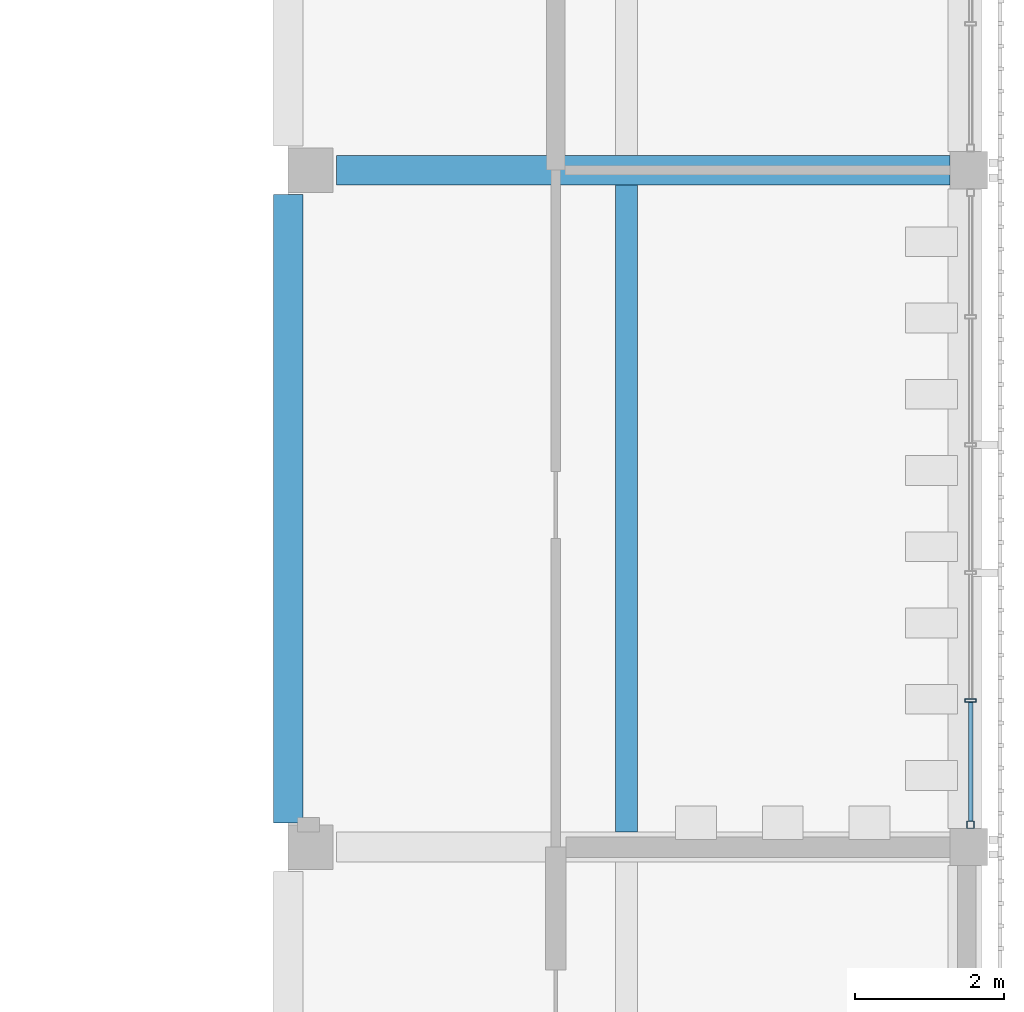
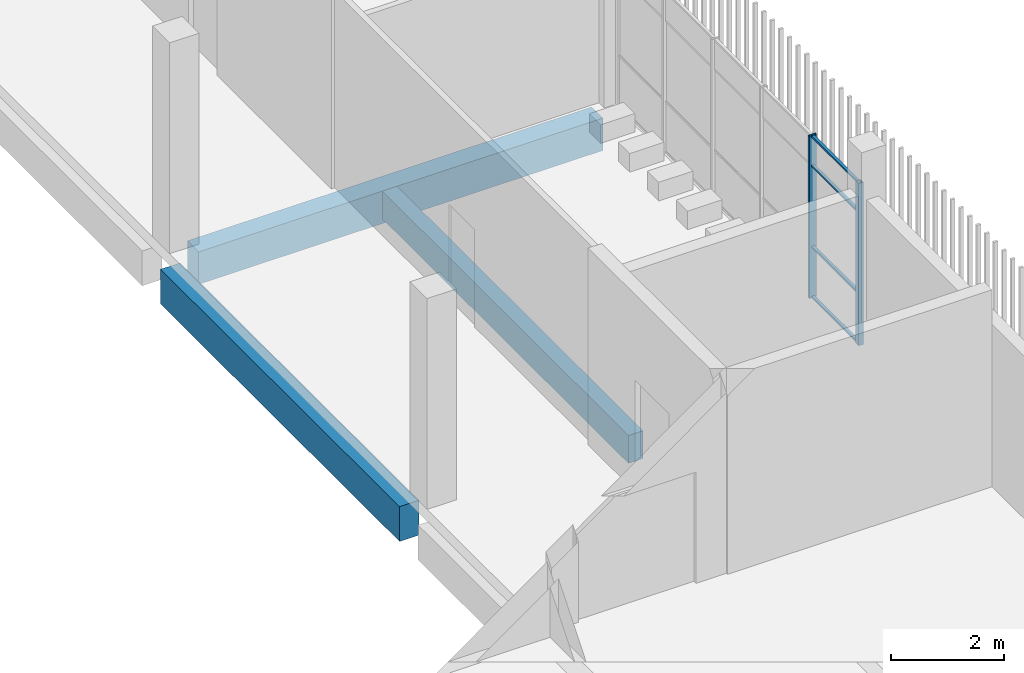
# One storey, part 52 of 124: 6 members, 3 beams, 1 element without a shape of its own.
"""IFC4 building model written with IfcOpenShell, lengths in metres."""

from ifc_helpers import new_model, si_unit, direction, frame, origin, origin_2d, place, context, subcontext, project, spatial, rectangle, hollow_rectangle, extrude, material, layer, layer_set, material_profile, profile_set, type_object, element, aggregate, save


model = new_model("IFC4")

# Units and contexts
model_context = context("Model", 3, precision=1e-05, world=origin(), true_north=direction((0.0, 1.0)))
body_context = subcontext(model_context, "Body", "Model", "MODEL_VIEW")
ifc_project = project(units=[si_unit("LENGTHUNIT", "METRE"), si_unit("AREAUNIT", "SQUARE_METRE"), si_unit("VOLUMEUNIT", "CUBIC_METRE"), si_unit("PLANEANGLEUNIT", "RADIAN"), si_unit("MASSUNIT", "GRAM", prefix="KILO")], contexts=[model_context])

# Site, building, storey
site_placement = place(None, origin())
site = spatial("IfcSite", under=ifc_project, at=site_placement, CompositionType="ELEMENT")
building_placement = place(site_placement, origin())
building = spatial("IfcBuilding", under=site, at=building_placement, Name="Shirokan Park Arena", CompositionType="ELEMENT")
storey_placement = place(building_placement, frame((0.0, 0.0, 20.02001953125)))
storey = spatial("IfcBuildingStorey", under=building, at=storey_placement, Name="L04", CompositionType="ELEMENT", Elevation=20.02001953125)

# Curtain wall, members
ifc_material_1 = material(Name="Steel and glass curtain wall", Category="steel")
ifc_layer = layer(ifc_material_1, 0.14990234375)
ifc_layer_set = layer_set([ifc_layer], Name="Steel and glass curtain wall 150 mm")
curtain_wall_type = type_object("IfcCurtainWallType", Name="Curtain wall exposed bay 150", PredefinedType="NOTDEFINED", material=ifc_layer_set)
curtain_wall_placement = place(storey_placement, origin())
curtain_wall = element("IfcCurtainWall", 1, at=curtain_wall_placement, inside=storey, type_object=curtain_wall_type, Name="Curtain wall east bay 6 L04", PredefinedType="NOTDEFINED")
ifc_material_2 = material(Name="Steel S355", Category="steel")
ifc_material_profile_1 = material_profile(ifc_material_2, hollow_rectangle(XDim=0.10009765625, YDim=0.10009765625, WallThickness=0.006103515625, at=origin_2d()), Name="RHS 100x100x6")
ifc_profile_set_1 = profile_set([ifc_material_profile_1], Name="Steel S355")
member_type_1 = type_object("IfcMemberType", Name="Mullion RHS 100x100x6", PredefinedType="MULLION", material=ifc_profile_set_1)
member_1_placement = place(storey_placement, frame((145.675048828125, 45.800048828125, 0.0), z_axis=(0.0, 0.0, 1.0), x_axis=(-1.0, 0.0, 0.0)))
member_1 = element("IfcMember", 2, at=member_1_placement, type_object=member_type_1, Name="CW1 mullion 1", PredefinedType="MULLION", context=body_context, shape_type="SweptSolid", body=[
    extrude(hollow_rectangle(XDim=0.10009765625, YDim=0.10009765625, WallThickness=0.006103515625, at=origin_2d()), origin(), (0.0, 0.0, 1.0), 3.5),
])
ifc_material_profile_2 = material_profile(ifc_material_2, hollow_rectangle(XDim=0.14990234375, YDim=0.050048828125, WallThickness=0.006103515625, at=origin_2d()), Name="RHS 150x50x6")
ifc_profile_set_2 = profile_set([ifc_material_profile_2], Name="Steel S355")
member_type_2 = type_object("IfcMemberType", Name="Mullion RHS 150x50x6", PredefinedType="MULLION", material=ifc_profile_set_2)
member_2_placement = place(storey_placement, frame((145.675048828125, 47.469970703125, 0.0), z_axis=(0.0, 0.0, 1.0), x_axis=(-1.0, 0.0, 0.0)))
member_2 = element("IfcMember", 3, at=member_2_placement, type_object=member_type_2, Name="CW1 mullion 2", PredefinedType="MULLION", context=body_context, shape_type="SweptSolid", body=[
    extrude(hollow_rectangle(XDim=0.14990234375, YDim=0.050048828125, WallThickness=0.006103515625, at=origin_2d()), origin(), (0.0, 0.0, 1.0), 3.5),
])

# Beams
ifc_material_3 = material(Name="Concrete C35", Category="concrete")
ifc_material_profile_3 = material_profile(ifc_material_3, rectangle(XDim=0.39990234375, YDim=0.699951171875, at=origin_2d()), Name="400x700")
ifc_profile_set_3 = profile_set([ifc_material_profile_3], Name="Concrete C35")
beam_type_1 = type_object("IfcBeamType", Name="RC girder 400x700", PredefinedType="BEAM", material=ifc_profile_set_3)
beam_1_placement = place(storey_placement, frame((137.150146484375, 54.60009765625, -0.60009765625), z_axis=(1.0, 0.0, 0.0), x_axis=(0.0, 1.0, 0.0)))
element("IfcBeam", 4, at=beam_1_placement, inside=storey, type_object=beam_type_1, Name="Girder 16G-17G L04", PredefinedType="BEAM", context=body_context, shape_type="SweptSolid", body=[
    extrude(rectangle(XDim=0.39990234375, YDim=0.699951171875, at=origin_2d()), origin(), (0.0, 0.0, 1.0), 8.249755859375),
])
ifc_material_profile_4 = material_profile(ifc_material_3, rectangle(XDim=0.39990234375, YDim=0.75, at=origin_2d()), Name="400x750")
ifc_profile_set_4 = profile_set([ifc_material_profile_4], Name="Concrete C35")
beam_type_2 = type_object("IfcBeamType", Name="RC girder 400x750", PredefinedType="BEAM", material=ifc_profile_set_4)
beam_2_placement = place(storey_placement, frame((136.5, 45.8251953125, -0.625), z_axis=(0.0, 1.0, 0.0), x_axis=(-1.0, 0.0, 0.0)))
element("IfcBeam", 5, at=beam_2_placement, inside=storey, type_object=beam_type_2, Name="Girder 16F-16G L04", PredefinedType="BEAM", context=body_context, shape_type="SweptSolid", body=[
    extrude(rectangle(XDim=0.39990234375, YDim=0.75, at=origin_2d()), origin(), (0.0, 0.0, 1.0), 8.44970703125),
])
ifc_material_profile_5 = material_profile(ifc_material_3, rectangle(XDim=0.300048828125, YDim=0.60009765625, at=origin_2d()), Name="300x600")
ifc_profile_set_5 = profile_set([ifc_material_profile_5], Name="Concrete C35")
beam_type_3 = type_object("IfcBeamType", Name="RC joist 300x600", PredefinedType="JOIST", material=ifc_profile_set_5)
beam_3_placement = place(storey_placement, frame((141.050048828125, 45.699951171875, -0.550048828125), z_axis=(0.0, 1.0, 0.0), x_axis=(-1.0, 0.0, 0.0)))
element("IfcBeam", 6, at=beam_3_placement, inside=storey, type_object=beam_type_3, Name="Joist 17F L04", PredefinedType="JOIST", context=body_context, shape_type="SweptSolid", body=[
    extrude(rectangle(XDim=0.300048828125, YDim=0.60009765625, at=origin_2d()), origin(), (0.0, 0.0, 1.0), 8.699951171875),
])

# Member
ifc_material_profile_6 = material_profile(ifc_material_2, hollow_rectangle(XDim=0.06005859375, YDim=0.0400390625, WallThickness=0.00390625, at=origin_2d()), Name="RHS 60x40x4")
ifc_profile_set_6 = profile_set([ifc_material_profile_6], Name="Steel S355")
member_type_3 = type_object("IfcMemberType", Name="Transom RHS 60x40x4", PredefinedType="MULLION", material=ifc_profile_set_6)
member_3_placement = place(storey_placement, frame((145.675048828125, 45.85009765625, 0.02001953125), z_axis=(0.0, 1.0, 0.0), x_axis=(-1.0, 0.0, 0.0)))
member_3 = element("IfcMember", 7, at=member_3_placement, type_object=member_type_3, Name="CW1 transom 1.1", PredefinedType="MULLION", context=body_context, shape_type="SweptSolid", body=[
    extrude(hollow_rectangle(XDim=0.06005859375, YDim=0.0400390625, WallThickness=0.00390625, at=origin_2d()), origin(), (0.0, 0.0, 1.0), 1.594970703125),
])

member_4_placement = place(storey_placement, frame((145.675048828125, 45.85009765625, 1.10009765625), z_axis=(0.0, 1.0, 0.0), x_axis=(-1.0, 0.0, 0.0)))
member_4 = element("IfcMember", 8, at=member_4_placement, type_object=member_type_3, Name="CW1 transom 1.2", PredefinedType="MULLION", context=body_context, shape_type="SweptSolid", body=[
    extrude(hollow_rectangle(XDim=0.06005859375, YDim=0.0400390625, WallThickness=0.00390625, at=origin_2d()), origin(), (0.0, 0.0, 1.0), 1.594970703125),
])

member_5_placement = place(storey_placement, frame((145.675048828125, 45.85009765625, 2.85009765625), z_axis=(0.0, 1.0, 0.0), x_axis=(-1.0, 0.0, 0.0)))
member_5 = element("IfcMember", 9, at=member_5_placement, type_object=member_type_3, Name="CW1 transom 1.3", PredefinedType="MULLION", context=body_context, shape_type="SweptSolid", body=[
    extrude(hollow_rectangle(XDim=0.06005859375, YDim=0.0400390625, WallThickness=0.00390625, at=origin_2d()), origin(), (0.0, 0.0, 1.0), 1.594970703125),
])

member_6_placement = place(storey_placement, frame((145.675048828125, 45.85009765625, 3.47998046875), z_axis=(0.0, 1.0, 0.0), x_axis=(-1.0, 0.0, 0.0)))
member_6 = element("IfcMember", 10, at=member_6_placement, type_object=member_type_3, Name="CW1 transom 1.4", PredefinedType="MULLION", context=body_context, shape_type="SweptSolid", body=[
    extrude(hollow_rectangle(XDim=0.06005859375, YDim=0.0400390625, WallThickness=0.00390625, at=origin_2d()), origin(), (0.0, 0.0, 1.0), 1.594970703125),
])

aggregate(curtain_wall, [member_1, member_2, member_3, member_4, member_5, member_6])

save(model, "model.ifc")
